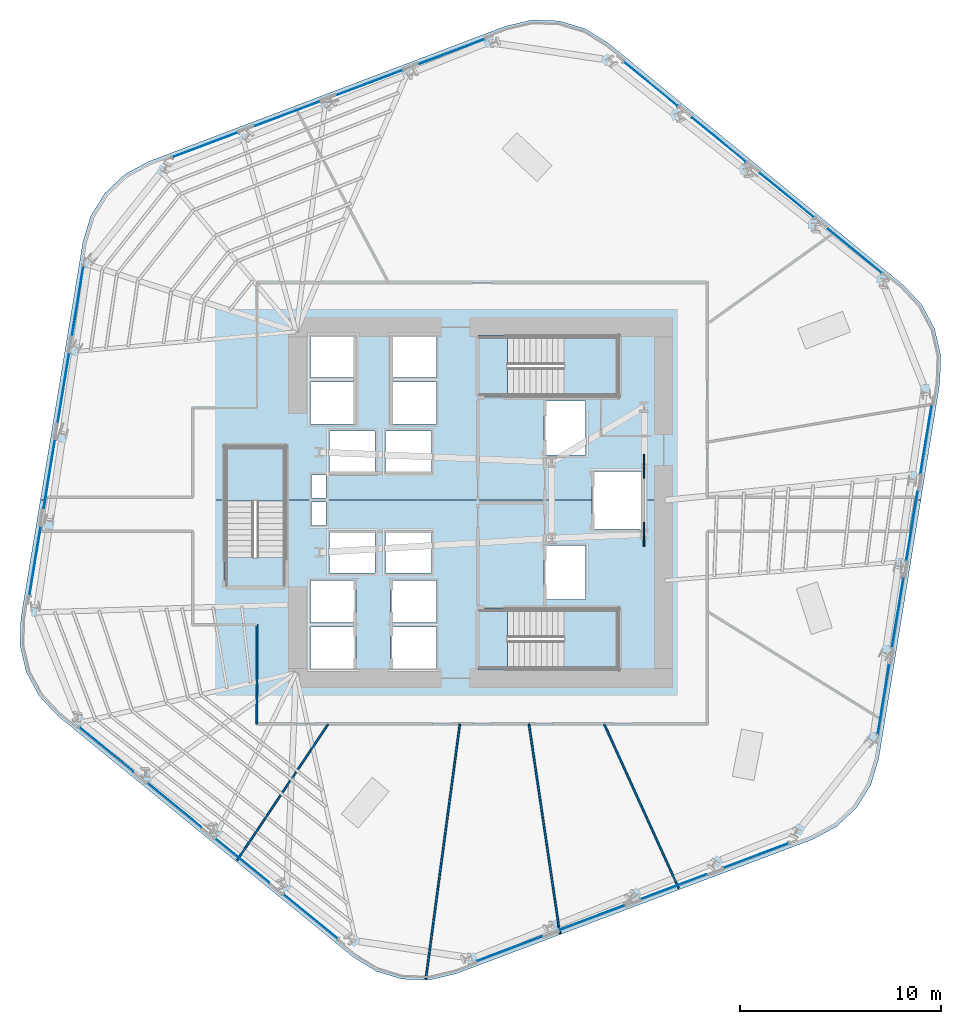
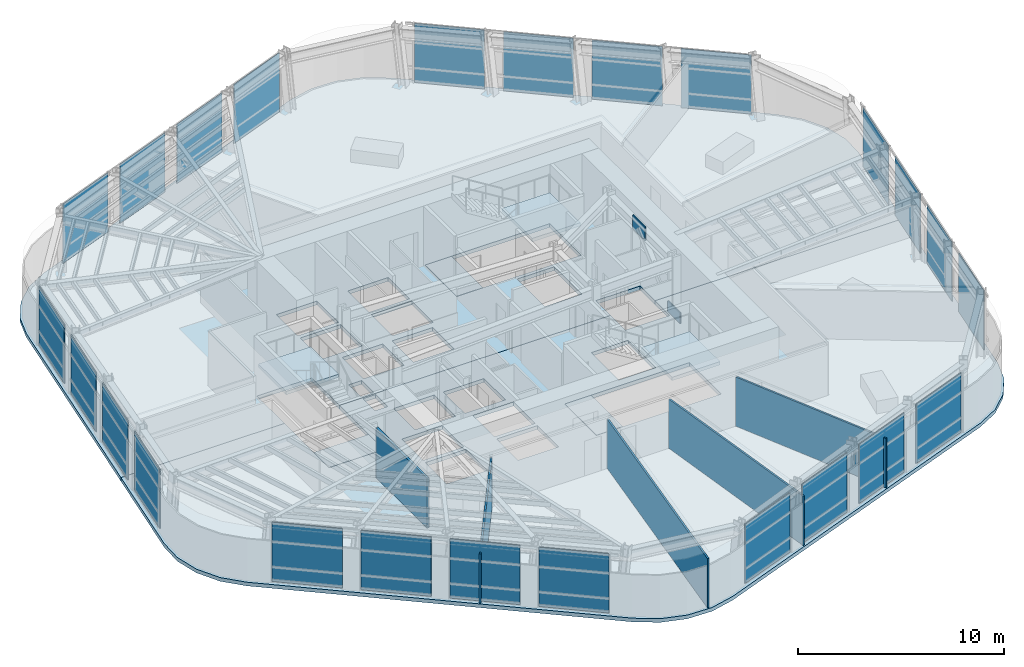
# One storey, part 8 of 18: 26 plates, 8 slabs, 5 walls, 9 elements without a shape of their own.
"""IFC4 building model written with IfcOpenShell, lengths in metres."""

from ifc_helpers import new_model, si_unit, direction, frame, frame_2d, origin, origin_2d, place, context, subcontext, project, spatial, polyline, rectangle, outline, extrude, material, layer, layer_set, type_object, element, aggregate, save


model = new_model("IFC4")

# Units and contexts
model_context = context("Model", 3, precision=1e-05, world=origin(), true_north=direction((0.0, 1.0)))
body_context = subcontext(model_context, "Body", "Model", "MODEL_VIEW")
ifc_project = project(units=[si_unit("LENGTHUNIT", "METRE"), si_unit("AREAUNIT", "SQUARE_METRE"), si_unit("VOLUMEUNIT", "CUBIC_METRE"), si_unit("PLANEANGLEUNIT", "RADIAN"), si_unit("MASSUNIT", "GRAM", prefix="KILO")], contexts=[model_context])

# Site, building, storey
site_placement = place(None, origin())
site = spatial("IfcSite", under=ifc_project, at=site_placement, CompositionType="ELEMENT")
building_placement = place(site_placement, origin())
building = spatial("IfcBuilding", under=site, at=building_placement, Name="Valkerne Bourse Tower", CompositionType="ELEMENT")
storey_placement = place(building_placement, frame((0.0, 0.0, 112.39990234375)))
storey = spatial("IfcBuildingStorey", under=building, at=storey_placement, Name="L28", CompositionType="ELEMENT", Elevation=112.39990234375)

# Curtain wall, plates
ifc_material_1 = material(Name="Aluminium AA 6063-T6", Category="aluminium")
ifc_layer_1 = layer(ifc_material_1, 0.22998046875)
ifc_layer_set_1 = layer_set([ifc_layer_1], Name="Aluminium AA 6063-T6")
curtain_wall_type = type_object("IfcCurtainWallType", Name="CW-02", PredefinedType="NOTDEFINED", material=ifc_layer_set_1)
curtain_wall_1_placement = place(storey_placement, origin())
curtain_wall_1 = element("IfcCurtainWall", 1, at=curtain_wall_1_placement, inside=storey, type_object=curtain_wall_type, Name="L28 Hexagonal Stick Curtain Wall Face 1", PredefinedType="NOTDEFINED")
ifc_material_2 = material(Name="Glass IGU Low-E Double Glazed", Category="glass")
ifc_layer_2 = layer(ifc_material_2, 0.031982421875)
ifc_layer_set_2 = layer_set([ifc_layer_2], Name="Glass IGU Low-E Double Glazed")
plate_type_1 = type_object("IfcPlateType", Name="CW-PNL-IGU-32", PredefinedType="CURTAIN_PANEL", material=ifc_layer_set_2)
plate_1_placement = place(storey_placement, frame((65.45947265625, 39.41748046875, 0.030029296875), z_axis=(0.0, 0.0, 1.0), x_axis=(-0.773837333902, 0.633384386182, 0.0)))
plate_1 = element("IfcPlate", 2, at=plate_1_placement, type_object=plate_type_1, Name="CW-L28-F1 Curtain Panel 00", PredefinedType="CURTAIN_PANEL", context=body_context, shape_type="SweptSolid", body=[
    extrude(rectangle(XDim=3.462890625, YDim=0.031982421875, at=origin_2d()), origin(), (0.0, 0.0, 1.0), 3.52001953125),
])
plate_2_placement = place(storey_placement, frame((62.06787109375, 42.193603515625, 0.030029296875), z_axis=(0.0, 0.0, 1.0), x_axis=(-0.773837333902, 0.633384386182, 0.0)))
plate_2 = element("IfcPlate", 3, at=plate_2_placement, type_object=plate_type_1, Name="CW-L28-F1 Curtain Panel 01", PredefinedType="CURTAIN_PANEL", context=body_context, shape_type="SweptSolid", body=[
    extrude(rectangle(XDim=3.462890625, YDim=0.031982421875, at=origin_2d()), origin(), (0.0, 0.0, 1.0), 3.52001953125),
])
plate_3_placement = place(storey_placement, frame((58.676025390625, 44.9697265625, 0.030029296875), z_axis=(0.0, 0.0, 1.0), x_axis=(-0.773846486723, 0.633373203559, 0.0)))
plate_3 = element("IfcPlate", 4, at=plate_3_placement, type_object=plate_type_1, Name="CW-L28-F1 Curtain Panel 02", PredefinedType="CURTAIN_PANEL", context=body_context, shape_type="SweptSolid", body=[
    extrude(rectangle(XDim=3.462890625, YDim=0.031982421875, at=origin_2d()), origin(), (0.0, 0.0, 1.0), 3.52001953125),
])
plate_4_placement = place(storey_placement, frame((55.2841796875, 47.745849609375, 0.030029296875), z_axis=(0.0, 0.0, 1.0), x_axis=(-0.773837333902, 0.633384386182, 0.0)))
plate_4 = element("IfcPlate", 5, at=plate_4_placement, type_object=plate_type_1, Name="CW-L28-F1 Curtain Panel 03", PredefinedType="CURTAIN_PANEL", context=body_context, shape_type="SweptSolid", body=[
    extrude(rectangle(XDim=3.462890625, YDim=0.031982421875, at=origin_2d()), origin(), (0.0, 0.0, 1.0), 3.52001953125),
])
aggregate(curtain_wall_1, [plate_1, plate_2, plate_3, plate_4])

curtain_wall_2_placement = place(storey_placement, origin())
curtain_wall_2 = element("IfcCurtainWall", 6, at=curtain_wall_2_placement, inside=storey, type_object=curtain_wall_type, Name="L28 Hexagonal Stick Curtain Wall Face 2", PredefinedType="NOTDEFINED")
plate_5_placement = place(storey_placement, frame((45.3759765625, 49.368408203125, 0.030029296875), z_axis=(0.0, 0.0, 1.0), x_axis=(-0.935448625028, -0.353462685347, 0.0)))
plate_5 = element("IfcPlate", 7, at=plate_5_placement, type_object=plate_type_1, Name="CW-L28-F2 Curtain Panel 00", PredefinedType="CURTAIN_PANEL", context=body_context, shape_type="SweptSolid", body=[
    extrude(rectangle(XDim=3.462890625, YDim=0.031982421875, at=origin_2d()), origin(), (0.0, 0.0, 1.0), 3.52001953125),
])
plate_6_placement = place(storey_placement, frame((41.27587890625, 47.819091796875, 0.030029296875), z_axis=(0.0, 0.0, 1.0), x_axis=(-0.935443931634, -0.353475106294, 0.0)))
plate_6 = element("IfcPlate", 8, at=plate_6_placement, type_object=plate_type_1, Name="CW-L28-F2 Curtain Panel 01", PredefinedType="CURTAIN_PANEL", context=body_context, shape_type="SweptSolid", body=[
    extrude(rectangle(XDim=3.462890625, YDim=0.031982421875, at=origin_2d()), origin(), (0.0, 0.0, 1.0), 3.52001953125),
])
plate_7_placement = place(storey_placement, frame((37.17578125, 46.269775390625, 0.030029296875), z_axis=(0.0, 0.0, 1.0), x_axis=(-0.935441080916, -0.353482650402, 0.0)))
plate_7 = element("IfcPlate", 9, at=plate_7_placement, type_object=plate_type_1, Name="CW-L28-F2 Curtain Panel 02", PredefinedType="CURTAIN_PANEL", context=body_context, shape_type="SweptSolid", body=[
    extrude(rectangle(XDim=3.462890625, YDim=0.031982421875, at=origin_2d()), origin(), (0.0, 0.0, 1.0), 3.52001953125),
])
plate_8_placement = place(storey_placement, frame((33.07568359375, 44.720458984375, 0.030029296875), z_axis=(0.0, 0.0, 1.0), x_axis=(-0.935443931634, -0.353475106294, 0.0)))
plate_8 = element("IfcPlate", 10, at=plate_8_placement, type_object=plate_type_1, Name="CW-L28-F2 Curtain Panel 03", PredefinedType="CURTAIN_PANEL", context=body_context, shape_type="SweptSolid", body=[
    extrude(rectangle(XDim=3.462890625, YDim=0.031982421875, at=origin_2d()), origin(), (0.0, 0.0, 1.0), 3.52001953125),
])
aggregate(curtain_wall_2, [plate_5, plate_6, plate_7, plate_8])

curtain_wall_3_placement = place(storey_placement, origin())
curtain_wall_3 = element("IfcCurtainWall", 11, at=curtain_wall_3_placement, inside=storey, type_object=curtain_wall_type, Name="L28 Hexagonal Stick Curtain Wall Face 3", PredefinedType="NOTDEFINED")
plate_9_placement = place(storey_placement, frame((26.71630859375, 36.950927734375, 0.030029296875), z_axis=(0.0, 0.0, 1.0), x_axis=(-0.16160128499, -0.986856131708, 0.0)))
plate_9 = element("IfcPlate", 12, at=plate_9_placement, type_object=plate_type_1, Name="CW-L28-F3 Curtain Panel 00", PredefinedType="CURTAIN_PANEL", context=body_context, shape_type="SweptSolid", body=[
    extrude(rectangle(XDim=3.463134765625, YDim=0.031982421875, at=origin_2d()), origin(), (0.0, 0.0, 1.0), 3.52001953125),
])
plate_10_placement = place(storey_placement, frame((26.008056640625, 32.62548828125, 0.030029296875), z_axis=(0.0, 0.0, 1.0), x_axis=(-0.161604923604, -0.986855535865, 0.0)))
plate_10 = element("IfcPlate", 13, at=plate_10_placement, type_object=plate_type_1, Name="CW-L28-F3 Curtain Panel 01", PredefinedType="CURTAIN_PANEL", context=body_context, shape_type="SweptSolid", body=[
    extrude(rectangle(XDim=3.462890625, YDim=0.031982421875, at=origin_2d()), origin(), (0.0, 0.0, 1.0), 3.52001953125),
])
plate_11_placement = place(storey_placement, frame((25.2998046875, 28.30029296875, 0.030029296875), z_axis=(0.0, 0.0, 1.0), x_axis=(-0.16160128499, -0.986856131708, 0.0)))
plate_11 = element("IfcPlate", 14, at=plate_11_placement, type_object=plate_type_1, Name="CW-L28-F3 Curtain Panel 02", PredefinedType="CURTAIN_PANEL", context=body_context, shape_type="SweptSolid", body=[
    extrude(rectangle(XDim=3.463134765625, YDim=0.031982421875, at=origin_2d()), origin(), (0.0, 0.0, 1.0), 3.52001953125),
])
plate_12_placement = place(storey_placement, frame((24.591552734375, 23.974853515625, 0.030029296875), z_axis=(0.0, 0.0, 1.0), x_axis=(-0.16162350442, -0.986852492939, 0.0)))
plate_12 = element("IfcPlate", 15, at=plate_12_placement, type_object=plate_type_1, Name="CW-L28-F3 Curtain Panel 03", PredefinedType="CURTAIN_PANEL", context=body_context, shape_type="SweptSolid", body=[
    extrude(rectangle(XDim=3.463134765625, YDim=0.031982421875, at=origin_2d()), origin(), (0.0, 0.0, 1.0), 3.52001953125),
])
aggregate(curtain_wall_3, [plate_9, plate_10, plate_11, plate_12])

curtain_wall_4_placement = place(storey_placement, origin())
curtain_wall_4 = element("IfcCurtainWall", 16, at=curtain_wall_4_placement, inside=storey, type_object=curtain_wall_type, Name="L28 Hexagonal Stick Curtain Wall Face 4", PredefinedType="NOTDEFINED")
plate_13_placement = place(storey_placement, frame((28.140380859375, 14.58251953125, 0.030029296875), z_axis=(0.0, 0.0, 1.0), x_axis=(0.773837333902, -0.633384386182, 0.0)))
plate_13 = element("IfcPlate", 17, at=plate_13_placement, type_object=plate_type_1, Name="CW-L28-F4 Curtain Panel 00", PredefinedType="CURTAIN_PANEL", context=body_context, shape_type="SweptSolid", body=[
    extrude(rectangle(XDim=3.462890625, YDim=0.031982421875, at=origin_2d()), origin(), (0.0, 0.0, 1.0), 3.52001953125),
])
plate_14_placement = place(storey_placement, frame((31.5322265625, 11.806396484375, 0.030029296875), z_axis=(0.0, 0.0, 1.0), x_axis=(0.773837333902, -0.633384386182, 0.0)))
plate_14 = element("IfcPlate", 18, at=plate_14_placement, type_object=plate_type_1, Name="CW-L28-F4 Curtain Panel 01", PredefinedType="CURTAIN_PANEL", context=body_context, shape_type="SweptSolid", body=[
    extrude(rectangle(XDim=3.462890625, YDim=0.031982421875, at=origin_2d()), origin(), (0.0, 0.0, 1.0), 3.52001953125),
])
plate_15_placement = place(storey_placement, frame((34.924072265625, 9.030517578125, 0.030029296875), z_axis=(0.0, 0.0, 1.0), x_axis=(0.773846486723, -0.633373203559, 0.0)))
plate_15 = element("IfcPlate", 19, at=plate_15_placement, type_object=plate_type_1, Name="CW-L28-F4 Curtain Panel 02", PredefinedType="CURTAIN_PANEL", context=body_context, shape_type="SweptSolid", body=[
    extrude(rectangle(XDim=3.462890625, YDim=0.031982421875, at=origin_2d()), origin(), (0.0, 0.0, 1.0), 3.52001953125),
])
plate_16_placement = place(storey_placement, frame((38.315673828125, 6.254150390625, 0.030029296875), z_axis=(0.0, 0.0, 1.0), x_axis=(0.773837333902, -0.633384386182, 0.0)))
plate_16 = element("IfcPlate", 20, at=plate_16_placement, type_object=plate_type_1, Name="CW-L28-F4 Curtain Panel 03", PredefinedType="CURTAIN_PANEL", context=body_context, shape_type="SweptSolid", body=[
    extrude(rectangle(XDim=3.462890625, YDim=0.031982421875, at=origin_2d()), origin(), (0.0, 0.0, 1.0), 3.52001953125),
])
aggregate(curtain_wall_4, [plate_13, plate_14, plate_15, plate_16])

curtain_wall_5_placement = place(storey_placement, origin())
curtain_wall_5 = element("IfcCurtainWall", 21, at=curtain_wall_5_placement, inside=storey, type_object=curtain_wall_type, Name="L28 Hexagonal Stick Curtain Wall Face 5", PredefinedType="NOTDEFINED")
plate_17_placement = place(storey_placement, frame((48.22412109375, 4.631591796875, 0.030029296875), z_axis=(0.0, 0.0, 1.0), x_axis=(0.935448625028, 0.353462685347, 0.0)))
plate_17 = element("IfcPlate", 22, at=plate_17_placement, type_object=plate_type_1, Name="CW-L28-F5 Curtain Panel 00", PredefinedType="CURTAIN_PANEL", context=body_context, shape_type="SweptSolid", body=[
    extrude(rectangle(XDim=3.462890625, YDim=0.031982421875, at=origin_2d()), origin(), (0.0, 0.0, 1.0), 3.52001953125),
])
plate_18_placement = place(storey_placement, frame((52.32421875, 6.180908203125, 0.030029296875), z_axis=(0.0, 0.0, 1.0), x_axis=(0.935443931634, 0.353475106294, 0.0)))
plate_18 = element("IfcPlate", 23, at=plate_18_placement, type_object=plate_type_1, Name="CW-L28-F5 Curtain Panel 01", PredefinedType="CURTAIN_PANEL", context=body_context, shape_type="SweptSolid", body=[
    extrude(rectangle(XDim=3.462890625, YDim=0.031982421875, at=origin_2d()), origin(), (0.0, 0.0, 1.0), 3.52001953125),
])
plate_19_placement = place(storey_placement, frame((56.42431640625, 7.730224609375, 0.030029296875), z_axis=(0.0, 0.0, 1.0), x_axis=(0.935441080916, 0.353482650402, 0.0)))
plate_19 = element("IfcPlate", 24, at=plate_19_placement, type_object=plate_type_1, Name="CW-L28-F5 Curtain Panel 02", PredefinedType="CURTAIN_PANEL", context=body_context, shape_type="SweptSolid", body=[
    extrude(rectangle(XDim=3.462890625, YDim=0.031982421875, at=origin_2d()), origin(), (0.0, 0.0, 1.0), 3.52001953125),
])
plate_20_placement = place(storey_placement, frame((60.524169921875, 9.279541015625, 0.030029296875), z_axis=(0.0, 0.0, 1.0), x_axis=(0.935443931634, 0.353475106294, 0.0)))
plate_20 = element("IfcPlate", 25, at=plate_20_placement, type_object=plate_type_1, Name="CW-L28-F5 Curtain Panel 03", PredefinedType="CURTAIN_PANEL", context=body_context, shape_type="SweptSolid", body=[
    extrude(rectangle(XDim=3.462890625, YDim=0.031982421875, at=origin_2d()), origin(), (0.0, 0.0, 1.0), 3.52001953125),
])
aggregate(curtain_wall_5, [plate_17, plate_18, plate_19, plate_20])

curtain_wall_6_placement = place(storey_placement, origin())
curtain_wall_6 = element("IfcCurtainWall", 26, at=curtain_wall_6_placement, inside=storey, type_object=curtain_wall_type, Name="L28 Hexagonal Stick Curtain Wall Face 6", PredefinedType="NOTDEFINED")
plate_21_placement = place(storey_placement, frame((66.883544921875, 17.04931640625, 0.030029296875), z_axis=(0.0, 0.0, 1.0), x_axis=(0.16160128499, 0.986856131708, 0.0)))
plate_21 = element("IfcPlate", 27, at=plate_21_placement, type_object=plate_type_1, Name="CW-L28-F6 Curtain Panel 00", PredefinedType="CURTAIN_PANEL", context=body_context, shape_type="SweptSolid", body=[
    extrude(rectangle(XDim=3.463134765625, YDim=0.031982421875, at=origin_2d()), origin(), (0.0, 0.0, 1.0), 3.52001953125),
])
plate_22_placement = place(storey_placement, frame((67.591796875, 21.37451171875, 0.030029296875), z_axis=(0.0, 0.0, 1.0), x_axis=(0.161604923604, 0.986855535865, 0.0)))
plate_22 = element("IfcPlate", 28, at=plate_22_placement, type_object=plate_type_1, Name="CW-L28-F6 Curtain Panel 01", PredefinedType="CURTAIN_PANEL", context=body_context, shape_type="SweptSolid", body=[
    extrude(rectangle(XDim=3.462890625, YDim=0.031982421875, at=origin_2d()), origin(), (0.0, 0.0, 1.0), 3.52001953125),
])
plate_23_placement = place(storey_placement, frame((68.30029296875, 25.69970703125, 0.030029296875), z_axis=(0.0, 0.0, 1.0), x_axis=(0.16160128499, 0.986856131708, 0.0)))
plate_23 = element("IfcPlate", 29, at=plate_23_placement, type_object=plate_type_1, Name="CW-L28-F6 Curtain Panel 02", PredefinedType="CURTAIN_PANEL", context=body_context, shape_type="SweptSolid", body=[
    extrude(rectangle(XDim=3.463134765625, YDim=0.031982421875, at=origin_2d()), origin(), (0.0, 0.0, 1.0), 3.52001953125),
])
plate_24_placement = place(storey_placement, frame((69.008544921875, 30.025146484375, 0.030029296875), z_axis=(0.0, 0.0, 1.0), x_axis=(0.16162350442, 0.986852492939, 0.0)))
plate_24 = element("IfcPlate", 30, at=plate_24_placement, type_object=plate_type_1, Name="CW-L28-F6 Curtain Panel 03", PredefinedType="CURTAIN_PANEL", context=body_context, shape_type="SweptSolid", body=[
    extrude(rectangle(XDim=3.463134765625, YDim=0.031982421875, at=origin_2d()), origin(), (0.0, 0.0, 1.0), 3.52001953125),
])
aggregate(curtain_wall_6, [plate_21, plate_22, plate_23, plate_24])

# Plates
ifc_material_3 = material(Name="Steel ASTM A572 Grade 50", Category="steel")
ifc_layer_3 = layer(ifc_material_3, 0.06005859375)
ifc_layer_set_3 = layer_set([ifc_layer_3], Name="Steel ASTM A572 Grade 50")
plate_type_2 = type_object("IfcPlateType", Name="PLT-GUS-60", PredefinedType="SHEET", material=ifc_layer_set_3)
for number, where, z_axis, x_axis, name in (
    (31, (54.949951171875, 25.300048828125, -0.1796875), (0.0, 0.0, 1.0), (0.0, 1.0, 0.0), "L28 Brace Node Gusset Plate PLT-GUS-END-L28-372"),
    (32, (54.949951171875, 28.699951171875, 2.8740234375), (0.0, 0.0, 1.0), (0.0, 1.0, 0.0), "L28 Brace Node Gusset Plate PLT-GUS-END-L28-373"),
):
    element("IfcPlate", number, at=place(storey_placement, frame(where, z_axis=z_axis, x_axis=x_axis)), inside=storey, type_object=plate_type_2, Name=name, PredefinedType="SHEET", context=body_context, shape_type="SweptSolid", body=[
        extrude(rectangle(XDim=1.199951171875, YDim=0.06005859375, at=origin_2d()), origin(), (0.0, 0.0, 1.0), 0.800048828125),
    ])

# Slabs
ifc_material_4 = material(Name="Concrete C40/50", Category="concrete")
ifc_layer_4 = layer(ifc_material_4, 0.25)
ifc_layer_set_4 = layer_set([ifc_layer_4], Name="Concrete C40/50")
slab_type_1 = type_object("IfcSlabType", Name="SLB-RMP-LND-250", PredefinedType="LANDING", material=ifc_layer_set_4)
slab_1_placement = place(storey_placement, frame((0.0, 0.0, -0.219970703125)))
element("IfcSlab", 33, at=slab_1_placement, inside=storey, type_object=slab_type_1, Name="L28 ST-1 Floor Landing Slab", PredefinedType="LANDING", context=body_context, shape_type="SweptSolid", body=[
    extrude(outline(polyline([(46.669921875, 18.5400390625), (48.14990234375, 18.5400390625), (48.14990234375, 21.610107421875), (46.669921875, 21.610107421875), (46.669921875, 18.5400390625)])), origin(), (0.0, 0.0, 1.0), 0.219970703125),
])
slab_2_placement = place(storey_placement, frame((0.0, 0.0, -0.219970703125)))
element("IfcSlab", 34, at=slab_2_placement, inside=storey, type_object=slab_type_1, Name="L28 ST-2 Floor Landing Slab", PredefinedType="LANDING", context=body_context, shape_type="SweptSolid", body=[
    extrude(outline(polyline([(46.669921875, 32.139892578125), (48.14990234375, 32.139892578125), (48.14990234375, 35.2099609375), (46.669921875, 35.2099609375), (46.669921875, 32.139892578125)])), origin(), (0.0, 0.0, 1.0), 0.219970703125),
])
slab_3_placement = place(storey_placement, frame((0.0, 0.0, -0.219970703125)))
element("IfcSlab", 35, at=slab_3_placement, inside=storey, type_object=slab_type_1, Name="L28 ST-3 Floor Landing Slab", PredefinedType="LANDING", context=body_context, shape_type="SweptSolid", body=[
    extrude(outline(polyline([(37.110107421875, 22.669921875), (37.110107421875, 24.14990234375), (34.0400390625, 24.14990234375), (34.0400390625, 22.669921875), (37.110107421875, 22.669921875)])), origin(), (0.0, 0.0, 1.0), 0.219970703125),
])

# Stair, slab
stair_type = type_object("IfcStairType", Name="ST-CORE-1400", PredefinedType="HALF_TURN_STAIR", material=ifc_material_4)
stair_1_placement = place(storey_placement, origin())
stair_1 = element("IfcStair", 36, at=stair_1_placement, inside=storey, type_object=stair_type, Name="L28 ST-1", PredefinedType="HALF_TURN_STAIR")
ifc_layer_5 = layer(ifc_material_4, 0.179931640625)
ifc_layer_set_5 = layer_set([ifc_layer_5], Name="Concrete C40/50")
slab_type_2 = type_object("IfcSlabType", Name="SLB-ST-LND-180", PredefinedType="LANDING", material=ifc_layer_set_5)
slab_4_placement = place(storey_placement, frame((0.0, 0.0, 1.7001953125)))
slab_4 = element("IfcSlab", 37, at=slab_4_placement, type_object=slab_type_2, Name="ST-1 landing 1", PredefinedType="LANDING", context=body_context, shape_type="SweptSolid", body=[
    extrude(outline(polyline([(50.949951171875, 18.60009765625), (53.64990234375, 18.60009765625), (53.64990234375, 21.550048828125), (50.949951171875, 21.550048828125), (50.949951171875, 18.60009765625)])), origin(), (0.0, 0.0, 1.0), 0.199951171875),
])
aggregate(stair_1, [slab_4])

stair_2_placement = place(storey_placement, origin())
stair_2 = element("IfcStair", 38, at=stair_2_placement, inside=storey, type_object=stair_type, Name="L28 ST-2", PredefinedType="HALF_TURN_STAIR")
slab_5_placement = place(storey_placement, frame((0.0, 0.0, 1.7001953125)))
slab_5 = element("IfcSlab", 39, at=slab_5_placement, type_object=slab_type_2, Name="ST-2 landing 1", PredefinedType="LANDING", context=body_context, shape_type="SweptSolid", body=[
    extrude(outline(polyline([(50.949951171875, 32.199951171875), (53.64990234375, 32.199951171875), (53.64990234375, 35.14990234375), (50.949951171875, 35.14990234375), (50.949951171875, 32.199951171875)])), origin(), (0.0, 0.0, 1.0), 0.199951171875),
])
aggregate(stair_2, [slab_5])

stair_3_placement = place(storey_placement, origin())
stair_3 = element("IfcStair", 40, at=stair_3_placement, inside=storey, type_object=stair_type, Name="L28 ST-3", PredefinedType="HALF_TURN_STAIR")
slab_6_placement = place(storey_placement, frame((0.0, 0.0, 1.7001953125)))
slab_6 = element("IfcSlab", 41, at=slab_6_placement, type_object=slab_type_2, Name="ST-3 landing 1", PredefinedType="LANDING", context=body_context, shape_type="SweptSolid", body=[
    extrude(outline(polyline([(37.050048828125, 26.949951171875), (37.050048828125, 29.64990234375), (34.10009765625, 29.64990234375), (34.10009765625, 26.949951171875), (37.050048828125, 26.949951171875)])), origin(), (0.0, 0.0, 1.0), 0.199951171875),
])
aggregate(stair_3, [slab_6])

# Slabs
ifc_layer_6 = layer(ifc_material_4, 0.219970703125)
ifc_layer_set_6 = layer_set([ifc_layer_6], Name="Concrete C40/50")
slab_type_3 = type_object("IfcSlabType", Name="SLB-TOW-220", PredefinedType="FLOOR", material=ifc_layer_set_6)
slab_7_placement = place(storey_placement, frame((0.0, 0.0, -0.219970703125)))
element("IfcSlab", 42, at=slab_7_placement, inside=storey, type_object=slab_type_3, Name="L28 Hexagonal Composite Floor Slab S", PredefinedType="FLOOR", context=body_context, shape_type="SweptSolid", body=[
    extrude(outline(polyline([(66.2568359375, 12.81396484375), (65.54150390625, 11.66015625), (64.552001953125, 10.73095703125), (63.355712890625, 10.089599609375), (45.568359375, 3.389892578125), (44.24658203125, 3.079833984375), (42.889892578125, 3.12255859375), (41.59033203125, 3.514892578125), (40.436767578125, 4.230224609375), (25.71533203125, 16.25341796875), (24.7861328125, 17.242919921875), (24.14453125, 18.439208984375), (23.834716796875, 19.7607421875), (23.877197265625, 21.11767578125), (24.846923828125, 27.0), (34.034912109375, 27.0), (34.034912109375, 22.6650390625), (37.114990234375, 22.6650390625), (37.114990234375, 27.0), (52.360107421875, 27.0), (52.360107421875, 25.56005859375), (54.840087890625, 25.56005859375), (54.840087890625, 27.0), (68.745361328125, 27.0), (66.649169921875, 14.113525390625), (66.2568359375, 12.81396484375)]), holes=[polyline([(40.590087890625, 20.68994140625), (38.31005859375, 20.68994140625), (38.31005859375, 18.610107421875), (40.590087890625, 18.610107421875), (40.590087890625, 20.68994140625)]), polyline([(40.590087890625, 22.989990234375), (38.31005859375, 22.989990234375), (38.31005859375, 20.909912109375), (40.590087890625, 20.909912109375), (40.590087890625, 22.989990234375)]), polyline([(41.5400390625, 25.43994140625), (39.260009765625, 25.43994140625), (39.260009765625, 23.360107421875), (41.5400390625, 23.360107421875), (41.5400390625, 25.43994140625)]), polyline([(39.10009765625, 25.72998046875), (39.10009765625, 26.89990234375), (38.3798828125, 26.89990234375), (38.3798828125, 25.72998046875), (39.10009765625, 25.72998046875)]), polyline([(44.590087890625, 20.68994140625), (42.31005859375, 20.68994140625), (42.31005859375, 18.610107421875), (44.590087890625, 18.610107421875), (44.590087890625, 20.68994140625)]), polyline([(53.675048828125, 21.614990234375), (46.6650390625, 21.614990234375), (46.6650390625, 18.534912109375), (53.675048828125, 18.534912109375), (53.675048828125, 21.614990234375)]), polyline([(44.590087890625, 22.989990234375), (42.31005859375, 22.989990234375), (42.31005859375, 20.909912109375), (44.590087890625, 20.909912109375), (44.590087890625, 22.989990234375)]), polyline([(52.0400390625, 22.06005859375), (52.0400390625, 24.739990234375), (49.9599609375, 24.739990234375), (49.9599609375, 22.06005859375), (52.0400390625, 22.06005859375)]), polyline([(44.340087890625, 23.360107421875), (44.340087890625, 25.43994140625), (42.06005859375, 25.43994140625), (42.06005859375, 23.360107421875), (44.340087890625, 23.360107421875)])]), origin(), (0.0, 0.0, 1.0), 0.219970703125),
])
slab_8_placement = place(storey_placement, frame((0.0, 0.0, -0.219970703125)))
element("IfcSlab", 43, at=slab_8_placement, inside=storey, type_object=slab_type_3, Name="L28 Hexagonal Composite Floor Slab N", PredefinedType="FLOOR", context=body_context, shape_type="SweptSolid", body=[
    extrude(outline(polyline([(26.96875, 39.871826171875), (27.361083984375, 41.17138671875), (28.076416015625, 42.324951171875), (29.066162109375, 43.25439453125), (30.262451171875, 43.895751953125), (48.035400390625, 50.63330078125), (49.357177734375, 50.943115234375), (50.7138671875, 50.900390625), (52.013427734375, 50.50830078125), (53.1669921875, 49.792724609375), (67.86279296875, 37.73828125), (68.7919921875, 36.748779296875), (69.43359375, 35.552490234375), (69.74365234375, 34.23095703125), (69.700927734375, 32.8740234375), (68.745361328125, 27.0), (54.840087890625, 27.0), (54.840087890625, 28.43994140625), (52.360107421875, 28.43994140625), (52.360107421875, 27.0), (37.114990234375, 27.0), (37.114990234375, 29.675048828125), (34.034912109375, 29.675048828125), (34.034912109375, 27.0), (24.846923828125, 27.0), (26.96875, 39.871826171875)]), holes=[polyline([(39.10009765625, 28.27001953125), (38.3798828125, 28.27001953125), (38.3798828125, 27.10009765625), (39.10009765625, 27.10009765625), (39.10009765625, 28.27001953125)]), polyline([(41.5400390625, 30.43994140625), (39.260009765625, 30.43994140625), (39.260009765625, 28.360107421875), (41.5400390625, 28.360107421875), (41.5400390625, 30.43994140625)]), polyline([(44.340087890625, 30.43994140625), (42.06005859375, 30.43994140625), (42.06005859375, 28.360107421875), (44.340087890625, 28.360107421875), (44.340087890625, 30.43994140625)]), polyline([(40.590087890625, 30.81005859375), (40.590087890625, 32.889892578125), (38.31005859375, 32.889892578125), (38.31005859375, 30.81005859375), (40.590087890625, 30.81005859375)]), polyline([(40.590087890625, 33.110107421875), (40.590087890625, 35.18994140625), (38.31005859375, 35.18994140625), (38.31005859375, 33.110107421875), (40.590087890625, 33.110107421875)]), polyline([(52.0400390625, 31.93994140625), (49.9599609375, 31.93994140625), (49.9599609375, 29.260009765625), (52.0400390625, 29.260009765625), (52.0400390625, 31.93994140625)]), polyline([(44.590087890625, 32.889892578125), (42.31005859375, 32.889892578125), (42.31005859375, 30.81005859375), (44.590087890625, 30.81005859375), (44.590087890625, 32.889892578125)]), polyline([(53.675048828125, 32.135009765625), (53.675048828125, 35.215087890625), (46.6650390625, 35.215087890625), (46.6650390625, 32.135009765625), (53.675048828125, 32.135009765625)]), polyline([(44.590087890625, 33.110107421875), (44.590087890625, 35.18994140625), (42.31005859375, 35.18994140625), (42.31005859375, 33.110107421875), (44.590087890625, 33.110107421875)])]), origin(), (0.0, 0.0, 1.0), 0.219970703125),
])

# Walls
ifc_material_5 = material(Name="Gypsum Board Steel-Stud Partition", Category="steel")
ifc_layer_7 = layer(ifc_material_5, 0.117919921875)
ifc_layer_set_7 = layer_set([ifc_layer_7], Name="Gypsum Board Steel-Stud Partition")
wall_type_1 = type_object("IfcWallType", Name="W-CORR-140", PredefinedType="PARTITIONING", material=ifc_layer_set_7)
wall_1_placement = place(storey_placement, frame((35.64990234375, 15.85009765625, 0.0), z_axis=(0.0, 0.0, 1.0), x_axis=(0.0, 1.0, 0.0)))
element("IfcWall", 44, at=wall_1_placement, inside=storey, type_object=wall_type_1, Name="L28 Corridor Enclosure Wall", PredefinedType="PARTITIONING", context=body_context, shape_type="SweptSolid", body=[
    extrude(rectangle(XDim=4.949951171875, YDim=0.117919921875, at=frame_2d((2.47509765625, 0.0))), origin(), (0.0, 0.0, 1.0), 2.962890625),
])
ifc_layer_8 = layer(ifc_material_5, 0.092041015625)
ifc_layer_set_8 = layer_set([ifc_layer_8], Name="Gypsum Board Steel-Stud Partition")
wall_type_2 = type_object("IfcWallType", Name="W-PART-115", PredefinedType="PARTITIONING", material=ifc_layer_set_8)
wall_2_placement = place(storey_placement, frame((45.764892578125, 15.844970703125, 0.0), z_axis=(0.0, 0.0, 1.0), x_axis=(-0.132252408867, -0.991216071474, 0.0)))
element("IfcWall", 45, at=wall_2_placement, inside=storey, type_object=wall_type_2, Name="L28 Suite Partition P01", PredefinedType="PARTITIONING", context=body_context, shape_type="SweptSolid", body=[
    extrude(rectangle(XDim=12.80224609375, YDim=0.092041015625, at=frame_2d((6.401123046875, 0.0))), origin(), (0.0, 0.0, 1.0), 2.922607421875),
])
wall_3_placement = place(storey_placement, frame((49.209716796875, 15.844970703125, 0.0), z_axis=(0.0, 0.0, 1.0), x_axis=(0.146088692764, -0.98927149653, 0.0)))
element("IfcWall", 46, at=wall_3_placement, inside=storey, type_object=wall_type_2, Name="L28 Suite Partition P02", PredefinedType="PARTITIONING", context=body_context, shape_type="SweptSolid", body=[
    extrude(rectangle(XDim=10.541748046875, YDim=0.092041015625, at=frame_2d((5.27099609375, 0.0))), origin(), (0.0, 0.0, 1.0), 2.922607421875),
])
wall_4_placement = place(storey_placement, frame((52.958984375, 15.844970703125, 0.0), z_axis=(0.0, 0.0, 1.0), x_axis=(0.413105900972, -0.910682993463, 0.0)))
element("IfcWall", 47, at=wall_4_placement, inside=storey, type_object=wall_type_2, Name="L28 Suite Partition P03", PredefinedType="PARTITIONING", context=body_context, shape_type="SweptSolid", body=[
    extrude(rectangle(XDim=9.000244140625, YDim=0.092041015625, at=frame_2d((4.5, 0.0))), origin(), (0.0, 0.0, 1.0), 2.922607421875),
])
wall_5_placement = place(storey_placement, frame((39.20458984375, 15.844970703125, 0.0), z_axis=(0.0, 0.0, 1.0), x_axis=(-0.555897508188, -0.831250840836, 0.0)))
element("IfcWall", 48, at=wall_5_placement, inside=storey, type_object=wall_type_2, Name="L28 Suite Partition P08", PredefinedType="PARTITIONING", context=body_context, shape_type="SweptSolid", body=[
    extrude(rectangle(XDim=8.183837890625, YDim=0.092041015625, at=frame_2d((4.091796875, 0.0))), origin(), (0.0, 0.0, 1.0), 2.922607421875),
])

save(model, "model.ifc")
